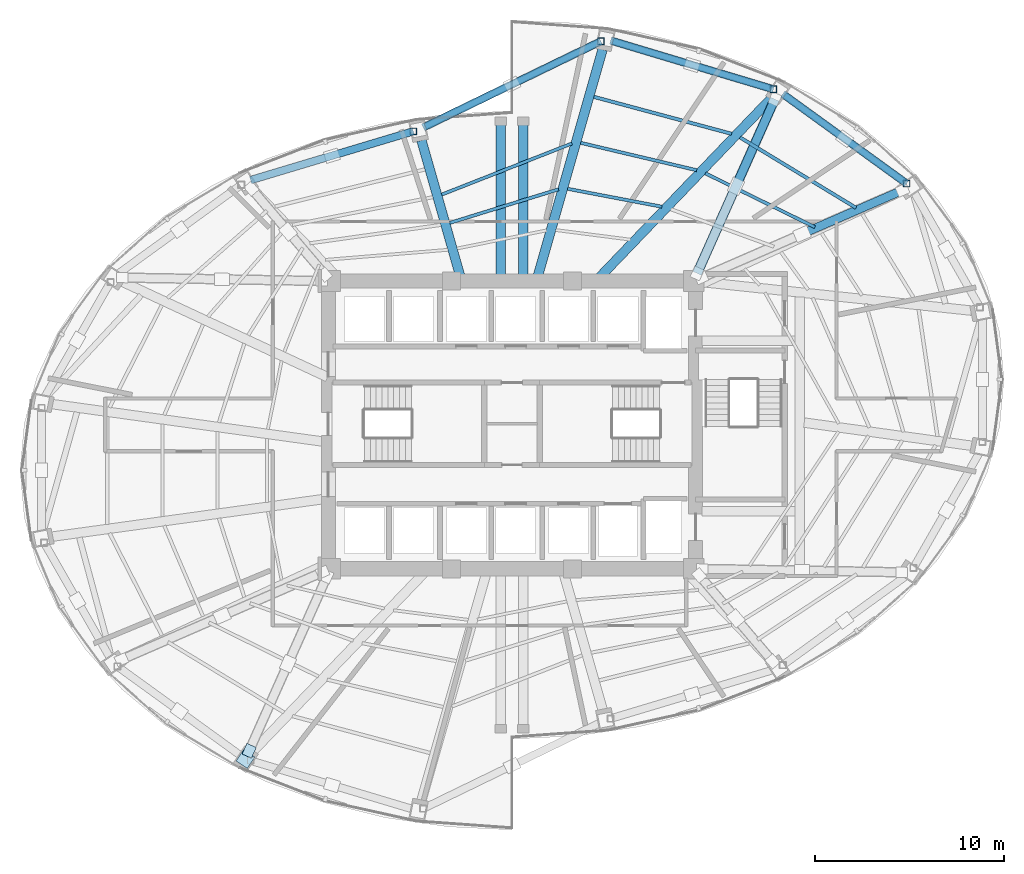
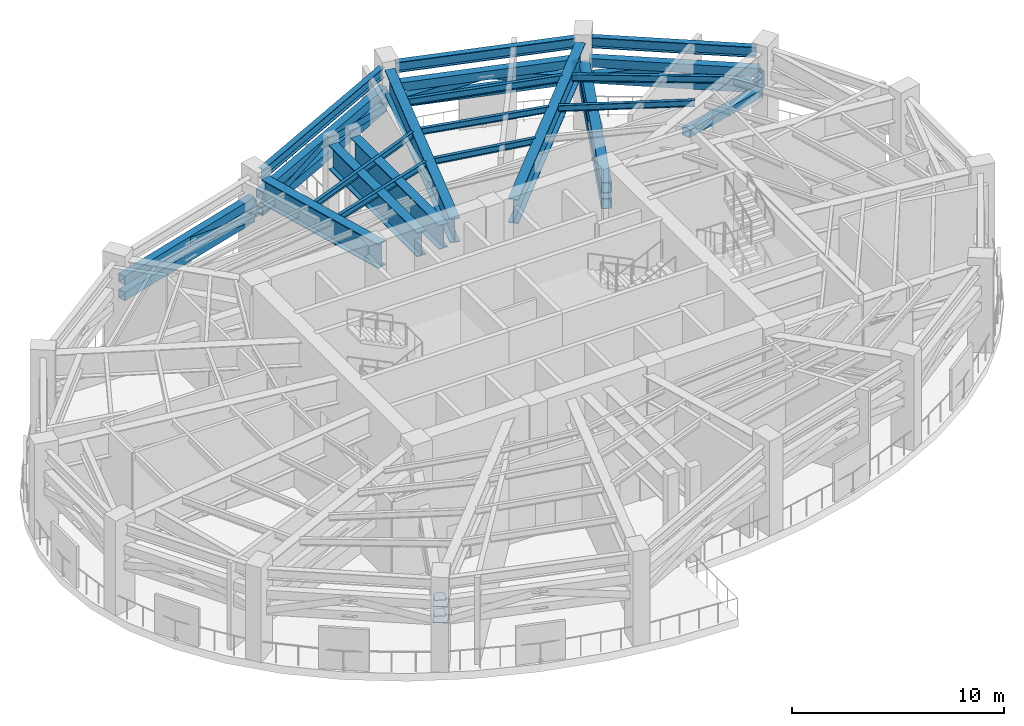
# One storey, part 5 of 12: 23 members, 15 beams, 4 plates.
"""IFC4 building model written with IfcOpenShell, lengths in metres."""

from ifc_helpers import new_model, si_unit, direction, frame, origin, origin_2d, place, context, subcontext, project, spatial, rectangle, hollow_rectangle, i_section, extrude, material, layer, layer_set, material_profile, profile_set, type_object, element, save


model = new_model("IFC4")

# Units and contexts
model_context = context("Model", 3, precision=1e-05, world=origin(), true_north=direction((0.0, 1.0)))
body_context = subcontext(model_context, "Body", "Model", "MODEL_VIEW")
ifc_project = project(units=[si_unit("LENGTHUNIT", "METRE"), si_unit("AREAUNIT", "SQUARE_METRE"), si_unit("VOLUMEUNIT", "CUBIC_METRE"), si_unit("PLANEANGLEUNIT", "RADIAN"), si_unit("MASSUNIT", "GRAM", prefix="KILO")], contexts=[model_context])

# Site, building, storey
site_placement = place(None, origin())
site = spatial("IfcSite", under=ifc_project, at=site_placement, CompositionType="ELEMENT")
building_placement = place(site_placement, origin())
building = spatial("IfcBuilding", under=site, at=building_placement, Name="Lazwardi Medical Tower", CompositionType="ELEMENT")
storey_placement = place(building_placement, frame((0.0, 0.0, 132.81591796875)))
storey = spatial("IfcBuildingStorey", under=building, at=storey_placement, Name="L34", CompositionType="ELEMENT", Elevation=132.81591796875)

# Beams
ifc_material_1 = material(Name="Steel S355", Category="steel")
ifc_material_profile_1 = material_profile(ifc_material_1, i_section(OverallWidth=0.300048828125, OverallDepth=0.60009765625, WebThickness=0.015380859375, FlangeThickness=0.030029296875, at=origin_2d()), Name="HEB 600")
ifc_profile_set_1 = profile_set([ifc_material_profile_1], Name="Steel S355")
beam_type_1 = type_object("IfcBeamType", Name="BM-RB-Z2", PredefinedType="BEAM", material=ifc_profile_set_1)
beam_1_placement = place(storey_placement, frame((56.74560546875, 40.835205078125, 4.72216796875), z_axis=(-0.81005674773, 0.586351486275, 0.0), x_axis=(-0.586351486275, -0.81005674773, 0.0)))
element("IfcBeam", 1, at=beam_1_placement, inside=storey, type_object=beam_type_1, Name="Ring beam RB-03 B06 L34", PredefinedType="BEAM", context=body_context, shape_type="SweptSolid", body=[
    extrude(i_section(OverallWidth=0.300048828125, OverallDepth=0.60009765625, WebThickness=0.015380859375, FlangeThickness=0.030029296875, at=origin_2d()), origin(), (0.0, 0.0, 1.0), 7.81396484375),
])
beam_2_placement = place(storey_placement, frame((49.69091796875, 45.775390625, 4.72216796875), z_axis=(-0.957879438442, 0.287170648587, 0.0), x_axis=(-0.287170648587, -0.957879438442, 0.0)))
element("IfcBeam", 2, at=beam_2_placement, inside=storey, type_object=beam_type_1, Name="Ring beam RB-03 B07 L34", PredefinedType="BEAM", context=body_context, shape_type="SweptSolid", body=[
    extrude(i_section(OverallWidth=0.300048828125, OverallDepth=0.60009765625, WebThickness=0.015380859375, FlangeThickness=0.030029296875, at=origin_2d()), origin(), (0.0, 0.0, 1.0), 8.719970703125),
])
beam_3_placement = place(storey_placement, frame((40.57666015625, 48.218505859375, 4.72216796875), z_axis=(-0.899653336227, -0.436604941125, 0.0), x_axis=(0.436604941125, -0.899653336227, 0.0)))
element("IfcBeam", 3, at=beam_3_placement, inside=storey, type_object=beam_type_1, Name="Ring beam RB-03 B08 L34", PredefinedType="BEAM", context=body_context, shape_type="SweptSolid", body=[
    extrude(i_section(OverallWidth=0.300048828125, OverallDepth=0.60009765625, WebThickness=0.015380859375, FlangeThickness=0.030029296875, at=origin_2d()), origin(), (0.0, 0.0, 1.0), 10.17431640625),
])
ifc_material_profile_2 = material_profile(ifc_material_1, i_section(OverallWidth=0.179931640625, OverallDepth=0.39990234375, WebThickness=0.008544921875, FlangeThickness=0.013427734375, at=origin_2d()), Name="IPE 400")
ifc_profile_set_2 = profile_set([ifc_material_profile_2], Name="Steel S355")
beam_type_2 = type_object("IfcBeamType", Name="BM-SJ-01", PredefinedType="JOIST", material=ifc_profile_set_2)
beam_4_placement = place(storey_placement, frame((54.18212890625, 39.472412109375, 4.822021484375), z_axis=(-0.854835509568, 0.518899076489, 0.0), x_axis=(-0.518899076489, -0.854835509568, 0.0)))
element("IfcBeam", 4, at=beam_4_placement, inside=storey, type_object=beam_type_2, Name="Secondary joist SJ-01 R1 B06 L34", PredefinedType="JOIST", context=body_context, shape_type="SweptSolid", body=[
    extrude(i_section(OverallWidth=0.179931640625, OverallDepth=0.39990234375, WebThickness=0.008544921875, FlangeThickness=0.013427734375, at=origin_2d()), origin(), (0.0, 0.0, 1.0), 7.17236328125),
])
beam_5_placement = place(storey_placement, frame((47.60498046875, 43.384765625, 4.822021484375), z_axis=(-0.965815343929, 0.259231019425, 0.0), x_axis=(-0.259231019425, -0.965815343929, 0.0)))
element("IfcBeam", 5, at=beam_5_placement, inside=storey, type_object=beam_type_2, Name="Secondary joist SJ-01 R1 B07 L34", PredefinedType="JOIST", context=body_context, shape_type="SweptSolid", body=[
    extrude(i_section(OverallWidth=0.179931640625, OverallDepth=0.39990234375, WebThickness=0.008544921875, FlangeThickness=0.013427734375, at=origin_2d()), origin(), (0.0, 0.0, 1.0), 7.5361328125),
])
ifc_material_profile_3 = material_profile(ifc_material_1, i_section(OverallWidth=0.169921875, OverallDepth=0.360107421875, WebThickness=0.008056640625, FlangeThickness=0.0126953125, at=origin_2d()), Name="IPE 360")
ifc_profile_set_3 = profile_set([ifc_material_profile_3], Name="Steel S355")
beam_type_3 = type_object("IfcBeamType", Name="BM-SJ-02", PredefinedType="JOIST", material=ifc_profile_set_3)
beam_6_placement = place(storey_placement, frame((52.01123046875, 38.4482421875, 4.842041015625), z_axis=(-0.897381406017, 0.441255721928, 0.0), x_axis=(-0.441255721928, -0.897381406017, 0.0)))
element("IfcBeam", 6, at=beam_6_placement, inside=storey, type_object=beam_type_3, Name="Secondary joist SJ-02 R2 B06 L34", PredefinedType="JOIST", context=body_context, shape_type="SweptSolid", body=[
    extrude(i_section(OverallWidth=0.169921875, OverallDepth=0.360107421875, WebThickness=0.008056640625, FlangeThickness=0.0126953125, at=origin_2d()), origin(), (0.0, 0.0, 1.0), 6.452392578125),
])
beam_7_placement = place(storey_placement, frame((45.7626953125, 41.459716796875, 4.842041015625), z_axis=(-0.973234906894, 0.229812567112, 0.0), x_axis=(-0.229812567112, -0.973234906894, 0.0)))
element("IfcBeam", 7, at=beam_7_placement, inside=storey, type_object=beam_type_3, Name="Secondary joist SJ-02 R2 B07 L34", PredefinedType="JOIST", context=body_context, shape_type="SweptSolid", body=[
    extrude(i_section(OverallWidth=0.169921875, OverallDepth=0.360107421875, WebThickness=0.008056640625, FlangeThickness=0.0126953125, at=origin_2d()), origin(), (0.0, 0.0, 1.0), 6.2998046875),
])
beam_8_placement = place(storey_placement, frame((39.1650390625, 42.874267578125, 4.842041015625), z_axis=(-0.930816129105, -0.36548780253, 0.0), x_axis=(0.36548780253, -0.930816129105, 0.0)))
element("IfcBeam", 8, at=beam_8_placement, inside=storey, type_object=beam_type_3, Name="Secondary joist SJ-02 R2 B08 L34", PredefinedType="JOIST", context=body_context, shape_type="SweptSolid", body=[
    extrude(i_section(OverallWidth=0.169921875, OverallDepth=0.360107421875, WebThickness=0.008056640625, FlangeThickness=0.0126953125, at=origin_2d()), origin(), (0.0, 0.0, 1.0), 7.389892578125),
])
beam_9_placement = place(storey_placement, frame((43.919921875, 39.531494140625, 4.842041015625), z_axis=(-0.98236004631, 0.186999303244, 0.0), x_axis=(-0.186999303244, -0.98236004631, 0.0)))
element("IfcBeam", 9, at=beam_9_placement, inside=storey, type_object=beam_type_3, Name="Secondary joist SJ-02 R3 B07 L34", PredefinedType="JOIST", context=body_context, shape_type="SweptSolid", body=[
    extrude(i_section(OverallWidth=0.169921875, OverallDepth=0.360107421875, WebThickness=0.008056640625, FlangeThickness=0.0126953125, at=origin_2d()), origin(), (0.0, 0.0, 1.0), 5.072021484375),
])
beam_10_placement = place(storey_placement, frame((38.46240234375, 40.45361328125, 4.842041015625), z_axis=(-0.955459041325, -0.295123737354, 0.0), x_axis=(0.295123737354, -0.955459041325, 0.0)))
element("IfcBeam", 10, at=beam_10_placement, inside=storey, type_object=beam_type_3, Name="Secondary joist SJ-02 R3 B08 L34", PredefinedType="JOIST", context=body_context, shape_type="SweptSolid", body=[
    extrude(i_section(OverallWidth=0.169921875, OverallDepth=0.360107421875, WebThickness=0.008056640625, FlangeThickness=0.0126953125, at=origin_2d()), origin(), (0.0, 0.0, 1.0), 6.015869140625),
])
ifc_material_2 = material(Name="Steel S460", Category="steel")
ifc_material_profile_4 = material_profile(ifc_material_2, i_section(OverallWidth=0.5, OverallDepth=1.39990234375, WebThickness=0.028076171875, FlangeThickness=0.044921875, at=origin_2d()), Name="PG 1400x500")
ifc_profile_set_4 = profile_set([ifc_material_profile_4], Name="Steel S460")
beam_type_4 = type_object("IfcBeamType", Name="BM-TG-01", PredefinedType="BEAM", material=ifc_profile_set_4)
for number, where, z_axis, x_axis, name in (
    (11, (35.39990234375, 43.840087890625, 4.322021484375), (0.0, -1.0, 0.0), (1.0, 0.0, 0.0), "Transfer girder TG-01 PL1 L34"),
    (12, (36.60009765625, 43.840087890625, 4.322021484375), (0.0, -1.0, 0.0), (1.0, 0.0, 0.0), "Transfer girder TG-01 PL2 L34"),
):
    element("IfcBeam", number, at=place(storey_placement, frame(where, z_axis=z_axis, x_axis=x_axis)), inside=storey, type_object=beam_type_4, Name=name, PredefinedType="BEAM", context=body_context, shape_type="SweptSolid", body=[
        extrude(i_section(OverallWidth=0.5, OverallDepth=1.39990234375, WebThickness=0.028076171875, FlangeThickness=0.044921875, at=origin_2d()), origin(), (0.0, 0.0, 1.0), 8.340087890625),
    ])
beam_11_placement = place(storey_placement, frame((49.68212890625, 45.239013671875, 4.322021484375), z_axis=(-0.692408308333, -0.721505879776, 0.0), x_axis=(0.721505879776, -0.692408308333, 0.0)))
element("IfcBeam", 13, at=beam_11_placement, inside=storey, type_object=beam_type_4, Name="Transfer girder TG-01 M07 L34", PredefinedType="BEAM", context=body_context, shape_type="SweptSolid", body=[
    extrude(i_section(OverallWidth=0.5, OverallDepth=1.39990234375, WebThickness=0.028076171875, FlangeThickness=0.044921875, at=origin_2d()), origin(), (0.0, 0.0, 1.0), 13.29052734375),
])
beam_12_placement = place(storey_placement, frame((40.7861328125, 47.839599609375, 4.322021484375), z_axis=(-0.274713497412, -0.961526127747, 0.0), x_axis=(0.961526127747, -0.274713497412, 0.0)))
element("IfcBeam", 14, at=beam_12_placement, inside=storey, type_object=beam_type_4, Name="Transfer girder TG-01 M08 L34", PredefinedType="BEAM", context=body_context, shape_type="SweptSolid", body=[
    extrude(i_section(OverallWidth=0.5, OverallDepth=1.39990234375, WebThickness=0.028076171875, FlangeThickness=0.044921875, at=origin_2d()), origin(), (0.0, 0.0, 1.0), 12.677490234375),
])
beam_13_placement = place(storey_placement, frame((31.2138671875, 43.039794921875, 4.322021484375), z_axis=(0.274712736857, -0.961526345041, 0.0), x_axis=(0.961526345041, 0.274712736857, 0.0)))
element("IfcBeam", 15, at=beam_13_placement, inside=storey, type_object=beam_type_4, Name="Transfer girder TG-01 M09 L34", PredefinedType="BEAM", context=body_context, shape_type="SweptSolid", body=[
    extrude(i_section(OverallWidth=0.5, OverallDepth=1.39990234375, WebThickness=0.028076171875, FlangeThickness=0.044921875, at=origin_2d()), origin(), (0.0, 0.0, 1.0), 7.685546875),
])

# Members
ifc_material_profile_5 = material_profile(ifc_material_2, hollow_rectangle(XDim=0.39990234375, YDim=0.5, WallThickness=0.02490234375, at=origin_2d()), Name="RHS 500x400x25")
ifc_profile_set_5 = profile_set([ifc_material_profile_5], Name="Steel S460")
member_type_1 = type_object("IfcMemberType", Name="MEM-BC-01", PredefinedType="CHORD", material=ifc_profile_set_5)
for number, where, z_axis, x_axis, name in (
    (16, (56.85107421875, 40.7587890625, 2.68017578125), (-0.810037702686, 0.586377796499, 0.0), (-0.586377796499, -0.810037702686, 0.0), "Belt truss bottom chord BC-01 B06 L34"),
    (17, (56.85107421875, 40.7587890625, 3.60009765625), (-0.810037702686, 0.586377796499, 0.0), (-0.586377796499, -0.810037702686, 0.0), "Belt truss top chord BC-01 B06 L34"),
):
    element("IfcMember", number, at=place(storey_placement, frame(where, z_axis=z_axis, x_axis=x_axis)), inside=storey, type_object=member_type_1, Name=name, PredefinedType="CHORD", context=body_context, shape_type="SweptSolid", body=[
        extrude(hollow_rectangle(XDim=0.39990234375, YDim=0.5, WallThickness=0.02490234375, at=origin_2d()), origin(), (0.0, 0.0, 1.0), 8.074462890625),
    ])
for number, where, z_axis, x_axis, name in (
    (18, (49.8154296875, 45.73779296875, 2.68017578125), (-0.957870421192, 0.28720072459, 0.0), (-0.28720072459, -0.957870421192, 0.0), "Belt truss bottom chord BC-01 B07 L34"),
    (19, (49.8154296875, 45.73779296875, 3.60009765625), (-0.957870421192, 0.28720072459, 0.0), (-0.28720072459, -0.957870421192, 0.0), "Belt truss top chord BC-01 B07 L34"),
):
    element("IfcMember", number, at=place(storey_placement, frame(where, z_axis=z_axis, x_axis=x_axis)), inside=storey, type_object=member_type_1, Name=name, PredefinedType="CHORD", context=body_context, shape_type="SweptSolid", body=[
        extrude(hollow_rectangle(XDim=0.39990234375, YDim=0.5, WallThickness=0.02490234375, at=origin_2d()), origin(), (0.0, 0.0, 1.0), 8.980224609375),
    ])
for number, where, z_axis, x_axis, name in (
    (20, (40.693603515625, 48.275146484375, 2.68017578125), (-0.899652608178, -0.436606441316, 0.0), (0.436606441316, -0.899652608178, 0.0), "Belt truss bottom chord BC-01 B08 L34"),
    (21, (40.693603515625, 48.275146484375, 3.60009765625), (-0.899652608178, -0.436606441316, 0.0), (0.436606441316, -0.899652608178, 0.0), "Belt truss top chord BC-01 B08 L34"),
):
    element("IfcMember", number, at=place(storey_placement, frame(where, z_axis=z_axis, x_axis=x_axis)), inside=storey, type_object=member_type_1, Name=name, PredefinedType="CHORD", context=body_context, shape_type="SweptSolid", body=[
        extrude(hollow_rectangle(XDim=0.39990234375, YDim=0.5, WallThickness=0.02490234375, at=origin_2d()), origin(), (0.0, 0.0, 1.0), 10.434326171875),
    ])
for number, where, z_axis, x_axis, name in (
    (22, (30.786376953125, 43.51708984375, 2.68017578125), (-0.957870421192, -0.28720072459, 0.0), (0.28720072459, -0.957870421192, 0.0), "Belt truss bottom chord BC-01 B09 L34"),
    (23, (30.786376953125, 43.51708984375, 3.60009765625), (-0.957870421192, -0.28720072459, 0.0), (0.28720072459, -0.957870421192, 0.0), "Belt truss top chord BC-01 B09 L34"),
):
    element("IfcMember", number, at=place(storey_placement, frame(where, z_axis=z_axis, x_axis=x_axis)), inside=storey, type_object=member_type_1, Name=name, PredefinedType="CHORD", context=body_context, shape_type="SweptSolid", body=[
        extrude(hollow_rectangle(XDim=0.39990234375, YDim=0.5, WallThickness=0.02490234375, at=origin_2d()), origin(), (0.0, 0.0, 1.0), 8.980224609375),
    ])
ifc_material_profile_6 = material_profile(ifc_material_2, hollow_rectangle(XDim=0.39990234375, YDim=0.39990234375, WallThickness=0.02001953125, at=origin_2d()), Name="RHS 400x400x20")
ifc_profile_set_6 = profile_set([ifc_material_profile_6], Name="Steel S460")
member_type_2 = type_object("IfcMemberType", Name="MEM-BD-01", PredefinedType="BRACE", material=ifc_profile_set_6)
for number, where, z_axis, x_axis, name in (
    (24, (56.85107421875, 40.7587890625, 2.68017578125), (-0.789780228947, 0.571743104151, 0.222164382432), (-0.586397636031, -0.810023340687, 0.0), "Belt truss diagonal BD-01 B06A L34"),
    (25, (50.310546875, 45.493408203125, 2.68017578125), (0.789806852762, -0.571703415034, 0.222171871684), (0.586357955911, 0.81005206471, 0.0), "Belt truss diagonal BD-01 B06B L34"),
):
    element("IfcMember", number, at=place(storey_placement, frame(where, z_axis=z_axis, x_axis=x_axis)), inside=storey, type_object=member_type_2, Name=name, PredefinedType="BRACE", context=body_context, shape_type="SweptSolid", body=[
        extrude(hollow_rectangle(XDim=0.39990234375, YDim=0.39990234375, WallThickness=0.02001953125, at=origin_2d()), origin(), (0.0, 0.0, 1.0), 4.140625),
    ])
member_1_placement = place(storey_placement, frame((49.8154296875, 45.73779296875, 2.68017578125), z_axis=(-0.938361159406, 0.281412466232, 0.200712128102), x_axis=(-0.287258092299, -0.957853218614, 0.0)))
element("IfcMember", 26, at=member_1_placement, inside=storey, type_object=member_type_2, Name="Belt truss diagonal BD-01 B07A L34", PredefinedType="BRACE", context=body_context, shape_type="SweptSolid", body=[
    extrude(hollow_rectangle(XDim=0.39990234375, YDim=0.39990234375, WallThickness=0.02001953125, at=origin_2d()), origin(), (0.0, 0.0, 1.0), 4.583251953125),
])
member_2_placement = place(storey_placement, frame((41.213623046875, 48.31689453125, 2.68017578125), z_axis=(0.93839564892, -0.281300302091, 0.200708111774), x_axis=(0.287143357047, 0.957887619976, 0.0)))
element("IfcMember", 27, at=member_2_placement, inside=storey, type_object=member_type_2, Name="Belt truss diagonal BD-01 B07B L34", PredefinedType="BRACE", context=body_context, shape_type="SweptSolid", body=[
    extrude(hollow_rectangle(XDim=0.39990234375, YDim=0.39990234375, WallThickness=0.02001953125, at=origin_2d()), origin(), (0.0, 0.0, 1.0), 4.58349609375),
])
for number, where, z_axis, x_axis, name in (
    (28, (40.693603515625, 48.275146484375, 2.68017578125), (-0.885984825537, -0.429973389975, 0.173648417302), (0.436606441316, -0.899652608178, 0.0), "Belt truss diagonal BD-01 B08A L34"),
    (29, (31.306396484375, 43.719482421875, 2.68017578125), (0.885984825537, 0.429973389975, 0.173648417302), (-0.436606441316, 0.899652608178, 0.0), "Belt truss diagonal BD-01 B08B L34"),
):
    element("IfcMember", number, at=place(storey_placement, frame(where, z_axis=z_axis, x_axis=x_axis)), inside=storey, type_object=member_type_2, Name=name, PredefinedType="BRACE", context=body_context, shape_type="SweptSolid", body=[
        extrude(hollow_rectangle(XDim=0.39990234375, YDim=0.39990234375, WallThickness=0.02001953125, at=origin_2d()), origin(), (0.0, 0.0, 1.0), 5.297607421875),
    ])
member_3_placement = place(storey_placement, frame((30.786376953125, 43.51708984375, 2.68017578125), z_axis=(-0.938381587098, -0.281349352503, 0.200705104171), x_axis=(0.287193245674, -0.957872663583, 0.0)))
element("IfcMember", 30, at=member_3_placement, inside=storey, type_object=member_type_2, Name="Belt truss diagonal BD-01 B09A L34", PredefinedType="BRACE", context=body_context, shape_type="SweptSolid", body=[
    extrude(hollow_rectangle(XDim=0.39990234375, YDim=0.39990234375, WallThickness=0.02001953125, at=origin_2d()), origin(), (0.0, 0.0, 1.0), 4.58349609375),
])
ifc_material_profile_7 = material_profile(ifc_material_1, hollow_rectangle(XDim=0.35009765625, YDim=0.35009765625, WallThickness=0.01611328125, at=origin_2d()), Name="RHS 350x350x16")
ifc_profile_set_7 = profile_set([ifc_material_profile_7], Name="Steel S355")
member_type_3 = type_object("IfcMemberType", Name="MEM-BV-01", PredefinedType="POST", material=ifc_profile_set_7)
for number, where, z_axis, x_axis, name in (
    (31, (56.85107421875, 40.7587890625, 2.68017578125), (0.0, 0.0, 1.0), (1.0, 0.0, 0.0), "Belt truss post BV-01 B06 L34"),
    (32, (49.8154296875, 45.73779296875, 2.68017578125), (0.0, 0.0, 1.0), (1.0, 0.0, 0.0), "Belt truss post BV-01 B07 L34"),
    (33, (40.693603515625, 48.275146484375, 2.68017578125), (0.0, 0.0, 1.0), (1.0, 0.0, 0.0), "Belt truss post BV-01 B08 L34"),
    (34, (30.786376953125, 43.51708984375, 2.68017578125), (0.0, 0.0, 1.0), (1.0, 0.0, 0.0), "Belt truss post BV-01 B09 L34"),
):
    element("IfcMember", number, at=place(storey_placement, frame(where, z_axis=z_axis, x_axis=x_axis)), inside=storey, type_object=member_type_3, Name=name, PredefinedType="POST", context=body_context, shape_type="SweptSolid", body=[
        extrude(hollow_rectangle(XDim=0.35009765625, YDim=0.35009765625, WallThickness=0.01611328125, at=origin_2d()), origin(), (0.0, 0.0, 1.0), 0.919921875),
    ])
ifc_material_profile_8 = material_profile(ifc_material_2, hollow_rectangle(XDim=0.5, YDim=0.60009765625, WallThickness=0.030029296875, at=origin_2d()), Name="RHS 600x500x30")
ifc_profile_set_8 = profile_set([ifc_material_profile_8], Name="Steel S460")
member_type_4 = type_object("IfcMemberType", Name="MEM-OC-01", PredefinedType="CHORD", material=ifc_profile_set_8)
for number, where, z_axis, x_axis, name in (
    (35, (45.783203125, 36.010986328125, 2.68017578125), (0.407176268091, 0.913349597199, 0.0), (-0.913349597199, 0.407176268091, 0.0), "Outrigger truss bottom chord OC-01 OR6 L34"),
    (36, (45.783203125, 36.010986328125, 3.60009765625), (0.407176268091, 0.913349597199, 0.0), (-0.913349597199, 0.407176268091, 0.0), "Outrigger truss top chord OC-01 OR6 L34"),
):
    element("IfcMember", number, at=place(storey_placement, frame(where, z_axis=z_axis, x_axis=x_axis)), inside=storey, type_object=member_type_4, Name=name, PredefinedType="CHORD", context=body_context, shape_type="SweptSolid", body=[
        extrude(hollow_rectangle(XDim=0.5, YDim=0.60009765625, WallThickness=0.030029296875, at=origin_2d()), origin(), (0.0, 0.0, 1.0), 10.08154296875),
    ])
ifc_material_profile_9 = material_profile(ifc_material_2, hollow_rectangle(XDim=0.449951171875, YDim=0.449951171875, WallThickness=0.02197265625, at=origin_2d()), Name="RHS 450x450x22")
ifc_profile_set_9 = profile_set([ifc_material_profile_9], Name="Steel S460")
member_type_5 = type_object("IfcMemberType", Name="MEM-OD-01", PredefinedType="BRACE", material=ifc_profile_set_9)
member_4_placement = place(storey_placement, frame((56.6376953125, 40.4033203125, 2.68017578125), z_axis=(-0.905585386069, -0.394112757632, 0.156812763544), x_axis=(0.399049660472, -0.916929314875, 0.0)))
element("IfcMember", 37, at=member_4_placement, inside=storey, type_object=member_type_5, Name="Outrigger truss diagonal OD-01 OR5B L34", PredefinedType="BRACE", context=body_context, shape_type="SweptSolid", body=[
    extrude(hollow_rectangle(XDim=0.449951171875, YDim=0.449951171875, WallThickness=0.02197265625, at=origin_2d()), origin(), (0.0, 0.0, 1.0), 5.866455078125),
])
member_5_placement = place(storey_placement, frame((49.88818359375, 45.218994140625, 2.68017578125), z_axis=(-0.400560637875, -0.898509873802, 0.179530448854), x_axis=(0.913349597199, -0.407176268091, 0.0)))
element("IfcMember", 38, at=member_5_placement, inside=storey, type_object=member_type_5, Name="Outrigger truss diagonal OD-01 OR6B L34", PredefinedType="BRACE", context=body_context, shape_type="SweptSolid", body=[
    extrude(hollow_rectangle(XDim=0.449951171875, YDim=0.449951171875, WallThickness=0.02197265625, at=origin_2d()), origin(), (0.0, 0.0, 1.0), 5.1240234375),
])

# Plates
ifc_layer = layer(ifc_material_2, 0.0400390625)
ifc_layer_set = layer_set([ifc_layer], Name="Steel S460")
plate_type = type_object("IfcPlateType", Name="PLT-GUS-01", PredefinedType="USERDEFINED", material=ifc_layer_set)
for number, where, z_axis, x_axis, name in (
    (39, (21.916259765625, 10.342529296875, 2.66015625), (0.0, 0.0, 1.0), (-0.55557023302, -0.831469612303, 0.0), "Belt truss column gusset plate GP-01 MB15 L34"),
    (40, (21.916259765625, 10.342529296875, 3.580078125), (0.0, 0.0, 1.0), (-0.55557023302, -0.831469612303, 0.0), "Belt truss column gusset plate GP-01 MT15 L34"),
):
    element("IfcPlate", number, at=place(storey_placement, frame(where, z_axis=z_axis, x_axis=x_axis)), inside=storey, type_object=plate_type, Name=name, ObjectType="GUSSET_PLATE", PredefinedType="USERDEFINED", context=body_context, shape_type="SweptSolid", body=[
        extrude(rectangle(XDim=0.719970703125, YDim=0.719970703125, at=origin_2d()), origin(), (0.0, 0.0, 1.0), 0.0400390625),
    ])
for number, where, z_axis, x_axis, name in (
    (41, (22.11181640625, 10.781005859375, 2.66015625), (0.0, 0.0, 1.0), (-0.407214918582, -0.913332365617, 0.0), "Outrigger perimeter gusset plate GP-01 OR2MB L34"),
    (42, (22.11181640625, 10.781005859375, 3.580078125), (0.0, 0.0, 1.0), (-0.407214918582, -0.913332365617, 0.0), "Outrigger perimeter gusset plate GP-01 OR2MT L34"),
):
    element("IfcPlate", number, at=place(storey_placement, frame(where, z_axis=z_axis, x_axis=x_axis)), inside=storey, type_object=plate_type, Name=name, ObjectType="GUSSET_PLATE", PredefinedType="USERDEFINED", context=body_context, shape_type="SweptSolid", body=[
        extrude(rectangle(XDim=0.6201171875, YDim=0.5400390625, at=origin_2d()), origin(), (0.0, 0.0, 1.0), 0.0400390625),
    ])

save(model, "model.ifc")
